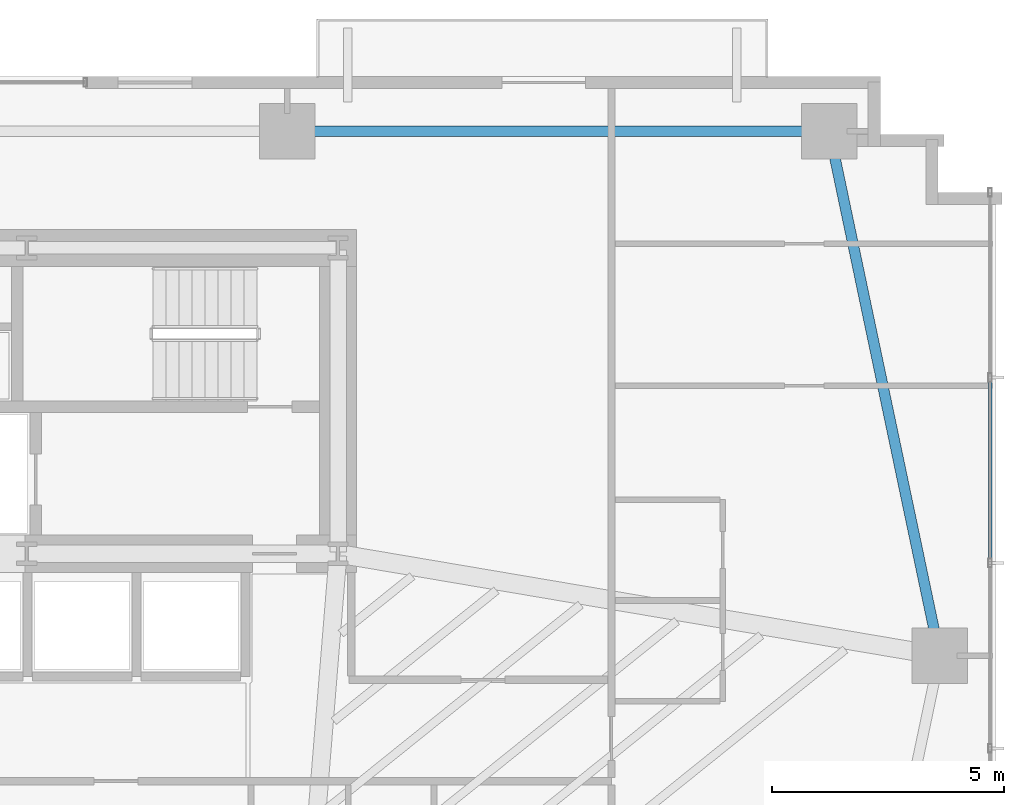
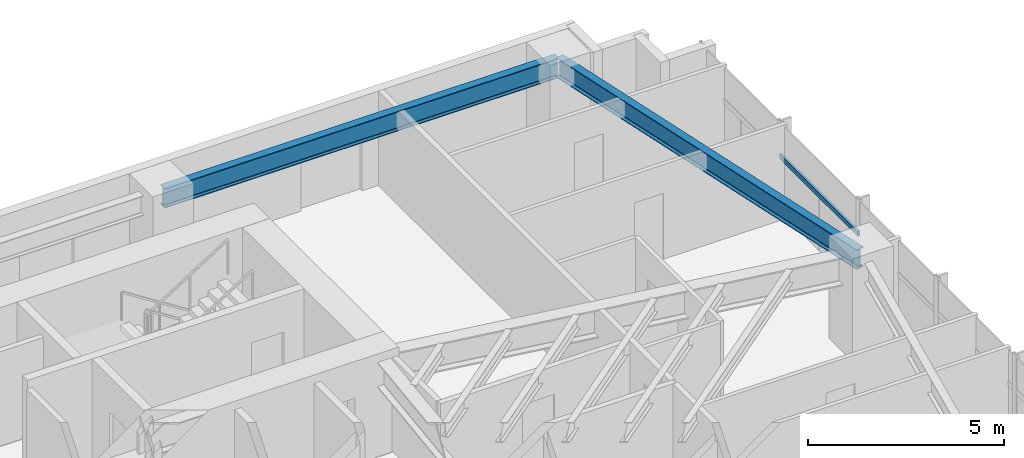
# One storey, part 16 of 25: 2 beams, 1 member, 1 element without a shape of its own.
"""IFC4 building model written with IfcOpenShell, lengths in metres."""

from ifc_helpers import new_model, si_unit, direction, frame, origin, origin_2d, place, context, subcontext, project, spatial, hollow_rectangle, i_section, extrude, source, transform, mapped, material, material_profile, profile_set, type_object, type_shapes, element, aggregate, save


model = new_model("IFC4")

# Units and contexts
model_context = context("Model", 3, precision=1e-05, world=origin(), true_north=direction((0.0, 1.0)))
body_context = subcontext(model_context, "Body", "Model", "MODEL_VIEW")
ifc_project = project(units=[si_unit("LENGTHUNIT", "METRE"), si_unit("AREAUNIT", "SQUARE_METRE"), si_unit("VOLUMEUNIT", "CUBIC_METRE"), si_unit("PLANEANGLEUNIT", "RADIAN"), si_unit("MASSUNIT", "GRAM", prefix="KILO")], contexts=[model_context])

# Site, building, storey
site_placement = place(None, origin())
site = spatial("IfcSite", under=ifc_project, at=site_placement, CompositionType="ELEMENT")
building_placement = place(site_placement, origin())
building = spatial("IfcBuilding", under=site, at=building_placement, Name="Astriad Promenade Condominiums", CompositionType="ELEMENT")
storey_placement = place(building_placement, frame((0.0, 0.0, 35.800048828125)))
storey = spatial("IfcBuildingStorey", under=building, at=storey_placement, Name="L09", CompositionType="ELEMENT", Elevation=35.800048828125)

# Beams
ifc_material_1 = material(Name="Steel ASTM A992 Grade 50", Category="steel")
ifc_material_profile_1 = material_profile(ifc_material_1, i_section(OverallWidth=0.22900390625, OverallDepth=0.612060546875, WebThickness=0.011962890625, FlangeThickness=0.01953125, FilletRadius=0.017822265625, at=origin_2d()), Name="W24X84")
ifc_profile_set_1 = profile_set([ifc_material_profile_1], Name="Steel ASTM A992 Grade 50")
beam_type = type_object("IfcBeamType", Name="STEEL SPANDREL BEAM W24X84", PredefinedType="SPANDREL", material=ifc_profile_set_1)
shared_shape_1 = source(origin(), body_context, "Body", "SweptSolid", [
    extrude(i_section(OverallWidth=0.22900390625, OverallDepth=0.612060546875, WebThickness=0.011962890625, FlangeThickness=0.01953125, FilletRadius=0.017822265625, at=origin_2d()), origin(), (0.0, 0.0, 1.0), 11.619873046875),
])
beam_1_placement = place(storey_placement, frame((56.159912109375, 26.52001953125, 2.634033203125), z_axis=(-1.0, 0.0, 0.0), x_axis=(0.0, -1.0, 0.0)))
element("IfcBeam", 1, at=beam_1_placement, inside=storey, type_object=beam_type, Name="Perimeter Spandrel Beam SP-N4-L09", PredefinedType="SPANDREL", context=body_context, shape_type="MappedRepresentation", body=[
    mapped(shared_shape_1, transform((0.0, 0.0, 0.0), scale=1.0)),
])
shared_shape_2 = source(origin(), body_context, "Body", "SweptSolid", [
    extrude(i_section(OverallWidth=0.22900390625, OverallDepth=0.612060546875, WebThickness=0.011962890625, FlangeThickness=0.01953125, FilletRadius=0.017822265625, at=origin_2d()), origin(), (0.0, 0.0, 1.0), 11.48779296875),
])
type_shapes(beam_type, [shared_shape_1, shared_shape_2])
beam_2_placement = place(storey_placement, frame((58.57177734375, 15.239013671875, 2.634033203125), z_axis=(-0.205743776427, 0.978605895374, 0.0), x_axis=(-0.978605895374, -0.205743776427, 0.0)))
element("IfcBeam", 2, at=beam_2_placement, inside=storey, type_object=beam_type, Name="Perimeter Spandrel Beam SP-E2-L09", PredefinedType="SPANDREL", context=body_context, shape_type="MappedRepresentation", body=[
    mapped(shared_shape_2, transform((0.0, 0.0, 0.0), scale=1.0)),
])

# Curtain wall, member
ifc_material_2 = material(Name="Anodised aluminium Black Dark Glass Unitised", Category="aluminium")
curtain_wall_type = type_object("IfcCurtainWallType", Name="CW-B1-DARK", PredefinedType="USERDEFINED", material=ifc_material_2)
curtain_wall_placement = place(storey_placement, origin())
curtain_wall = element("IfcCurtainWall", 3, at=curtain_wall_placement, inside=storey, type_object=curtain_wall_type, Name="CW-L09-E", ObjectType="UNITISED_CURTAIN_WALL", PredefinedType="USERDEFINED")
ifc_material_3 = material(Name="Anodised aluminium 6063-T6 Black", Category="aluminium")
ifc_material_profile_2 = material_profile(ifc_material_3, hollow_rectangle(XDim=0.074951171875, YDim=0.14990234375, WallThickness=0.004150390625, at=origin_2d()), Name="ALU-TRN-75X150")
ifc_profile_set_2 = profile_set([ifc_material_profile_2], Name="Anodised aluminium 6063-T6 Black")
member_type = type_object("IfcMemberType", Name="TRN-ALU-TRN-75X150", PredefinedType="USERDEFINED", material=ifc_profile_set_2)
shared_shape_3 = source(origin(), body_context, "Body", "SweptSolid", [
    extrude(hollow_rectangle(XDim=0.074951171875, YDim=0.14990234375, WallThickness=0.004150390625, at=origin_2d()), origin(), (0.0, 0.0, 1.0), 4.0),
])
type_shapes(member_type, [shared_shape_3])
member_placement = place(storey_placement, frame((59.669921875, 21.199951171875, 1.82275390625), z_axis=(0.0, -1.0, 0.0), x_axis=(1.0, 0.0, 0.0)))
member = element("IfcMember", 4, at=member_placement, type_object=member_type, Name="CW-L09-E-TRN-01-0", ObjectType="TRANSOM", PredefinedType="USERDEFINED", context=body_context, shape_type="MappedRepresentation", body=[
    mapped(shared_shape_3, transform((0.0, 0.0, 0.0), scale=1.0)),
])
aggregate(curtain_wall, [member])

save(model, "model.ifc")
